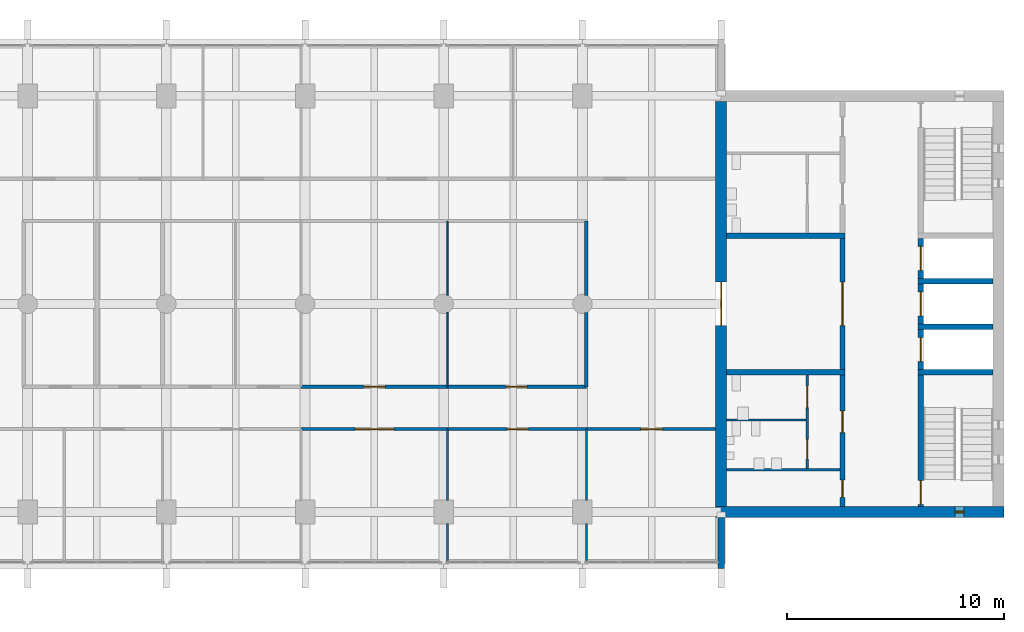
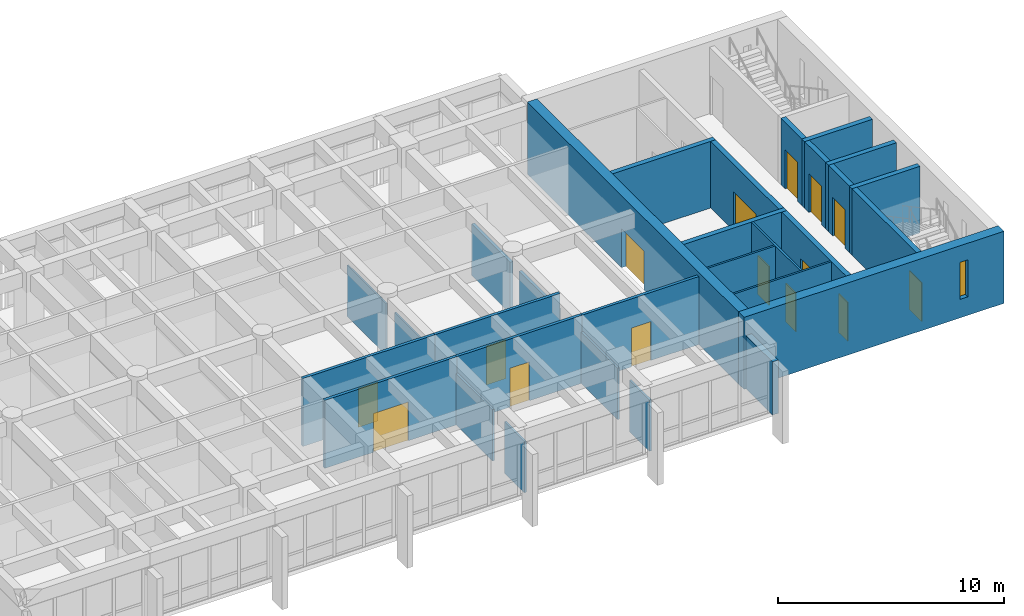
# One storey, part 11 of 15: 30 walls, 15 doors, 1 window, 16 openings.
"""IFC4 building model written with IfcOpenShell, lengths in metres."""

from ifc_helpers import new_model, si_unit, direction, frame, frame_2d, origin, place, context, subcontext, project, spatial, rectangle, extrude, material, layer, layer_set, type_object, element, fill, save


model = new_model("IFC4")

# Units and contexts
model_context = context("Model", 3, precision=1e-05, world=origin(), true_north=direction((0.0, 1.0)))
body_context = subcontext(model_context, "Body", "Model", "MODEL_VIEW")
ifc_project = project(units=[si_unit("LENGTHUNIT", "METRE"), si_unit("AREAUNIT", "SQUARE_METRE"), si_unit("VOLUMEUNIT", "CUBIC_METRE"), si_unit("PLANEANGLEUNIT", "RADIAN"), si_unit("MASSUNIT", "GRAM", prefix="KILO")], contexts=[model_context])

# Site, building, storey
site_placement = place(None, origin())
site = spatial("IfcSite", under=ifc_project, at=site_placement, CompositionType="ELEMENT")
building_placement = place(site_placement, origin())
building = spatial("IfcBuilding", under=site, at=building_placement, Name="Fogon Plaza Fire Station and Headquarters Tower", CompositionType="ELEMENT")
storey_placement = place(building_placement, frame((0.0, 0.0, 48.300048828125)))
storey = spatial("IfcBuildingStorey", under=building, at=storey_placement, Name="L12", CompositionType="ELEMENT", Elevation=48.300048828125)

# Walls
ifc_material_1 = material(Name="Concrete C40", Category="concrete")
ifc_layer_1 = layer(ifc_material_1, 0.25)
ifc_layer_set_1 = layer_set([ifc_layer_1], Name="Concrete C40")
wall_type_1 = type_object("IfcWallType", Name="Core Wall RC 250", PredefinedType="SOLIDWALL", material=ifc_layer_set_1)
for number, where, z_axis, x_axis, name in (
    (1, (76.550048828125, 40.050048828125, 0.0), (0.0, 0.0, 1.0), (-1.0, 0.0, 0.0), "Core B shaft wall"),
    (2, (76.550048828125, 42.14990234375, 0.0), (0.0, 0.0, 1.0), (-1.0, 0.0, 0.0), "Core B shaft wall"),
    (3, (76.550048828125, 44.25, 0.0), (0.0, 0.0, 1.0), (-1.0, 0.0, 0.0), "Core B shaft wall"),
):
    element("IfcWall", number, at=place(storey_placement, frame(where, z_axis=z_axis, x_axis=x_axis)), inside=storey, type_object=wall_type_1, Name=name, PredefinedType="SOLIDWALL", context=body_context, shape_type="SweptSolid", body=[
        extrude(rectangle(XDim=3.47509765625, YDim=0.25, at=frame_2d((1.737548828125, 0.0))), origin(), (0.0, 0.0, 1.0), 3.599853515625),
    ])

# Wall, opening, door
wall_1_placement = place(storey_placement, frame((73.199951171875, 33.85009765625, 0.0), z_axis=(0.0, 0.0, 1.0), x_axis=(0.0, 1.0, 0.0)))
wall_1 = element("IfcWall", 4, at=wall_1_placement, inside=storey, type_object=wall_type_1, Name="Core B shaft wall", PredefinedType="SOLIDWALL", context=body_context, shape_type="SweptSolid", body=[
    extrude(rectangle(XDim=6.074951171875, YDim=0.25, at=frame_2d((3.03759765625, 0.0))), origin(), (0.0, 0.0, 1.0), 3.599853515625),
])
opening_1_placement = place(wall_1_placement, frame((0.10009765625, 0.0, 0.0)))
opening_1 = element("IfcOpeningElement", 5, at=opening_1_placement, cuts=wall_1, Name="Opening L12-D15", PredefinedType="OPENING", context=body_context, shape_type="SweptSolid", body=[
    extrude(rectangle(XDim=1.10009765625, YDim=2.10009765625, at=frame_2d((0.550048828125, 1.050048828125))), frame((0.0, 0.135009765625, 0.0), z_axis=(0.0, -1.0, 0.0), x_axis=(1.0, 0.0, 0.0)), (0.0, 0.0, 1.0), 0.27001953125),
])
ifc_material_2 = material(Name="Steel Fire Door Leaf", Category="steel")
door_type_1 = type_object("IfcDoorType", Name="Stair Door Single 1100x2100", OperationType="SINGLE_SWING_LEFT", PredefinedType="DOOR", material=ifc_material_2)
door_1_placement = place(opening_1_placement, frame((1.10009765625, 0.0, 0.0), z_axis=(0.0, 0.0, 1.0), x_axis=(-1.0, 0.0, 0.0)))
door_1 = element("IfcDoor", 6, at=door_1_placement, inside=storey, type_object=door_type_1, Name="Stair door ST3", OperationType="SINGLE_SWING_RIGHT", OverallHeight=2.10009765625, OverallWidth=1.10009765625, PredefinedType="DOOR", context=body_context, shape_type="SweptSolid", body=[
    extrude(rectangle(XDim=1.10009765625, YDim=2.10009765625, at=frame_2d((0.550048828125, 1.050048828125))), frame((0.0, 0.02490234375, 0.0), z_axis=(0.0, -1.0, 0.0), x_axis=(1.0, 0.0, 0.0)), (0.0, 0.0, 1.0), 0.050048828125),
])
fill(opening_1, door_1)

wall_2_placement = place(storey_placement, frame((73.199951171875, 40.175048828125, 0.0), z_axis=(0.0, 0.0, 1.0), x_axis=(0.0, 1.0, 0.0)))
wall_2 = element("IfcWall", 7, at=wall_2_placement, inside=storey, type_object=wall_type_1, Name="Core B shaft wall", PredefinedType="SOLIDWALL", context=body_context, shape_type="SweptSolid", body=[
    extrude(rectangle(XDim=1.849853515625, YDim=0.25, at=frame_2d((0.9248046875, 0.0))), origin(), (0.0, 0.0, 1.0), 3.599853515625),
])
opening_2_placement = place(wall_2_placement, frame((0.375, 0.0, 0.0)))
opening_2 = element("IfcOpeningElement", 8, at=opening_2_placement, cuts=wall_2, Name="Opening L12-D17", PredefinedType="OPENING", context=body_context, shape_type="SweptSolid", body=[
    extrude(rectangle(XDim=1.10009765625, YDim=2.10009765625, at=frame_2d((0.550048828125, 1.050048828125))), frame((0.0, 0.135009765625, 0.0), z_axis=(0.0, -1.0, 0.0), x_axis=(1.0, 0.0, 0.0)), (0.0, 0.0, 1.0), 0.27001953125),
])
ifc_material_3 = material(Name="Stainless Steel", Category="steel")
door_type_2 = type_object("IfcDoorType", Name="Lift Landing Door 1100x2100", OperationType="SLIDING_TO_LEFT", PredefinedType="DOOR", material=ifc_material_3)
door_2_placement = place(opening_2_placement, origin())
door_2 = element("IfcDoor", 9, at=door_2_placement, inside=storey, type_object=door_type_2, Name="Lift LP3 landing door", OperationType="SLIDING_TO_LEFT", OverallHeight=2.10009765625, OverallWidth=1.10009765625, PredefinedType="DOOR", context=body_context, shape_type="SweptSolid", body=[
    extrude(rectangle(XDim=1.10009765625, YDim=2.10009765625, at=frame_2d((0.550048828125, 1.050048828125))), frame((0.0, 0.02490234375, 0.0), z_axis=(0.0, -1.0, 0.0), x_axis=(1.0, 0.0, 0.0)), (0.0, 0.0, 1.0), 0.050048828125),
])
fill(opening_2, door_2)

wall_3_placement = place(storey_placement, frame((73.199951171875, 42.27490234375, 0.0), z_axis=(0.0, 0.0, 1.0), x_axis=(0.0, 1.0, 0.0)))
wall_3 = element("IfcWall", 10, at=wall_3_placement, inside=storey, type_object=wall_type_1, Name="Core B shaft wall", PredefinedType="SOLIDWALL", context=body_context, shape_type="SweptSolid", body=[
    extrude(rectangle(XDim=1.85009765625, YDim=0.25, at=frame_2d((0.925048828125, 0.0))), origin(), (0.0, 0.0, 1.0), 3.599853515625),
])
opening_3_placement = place(wall_3_placement, frame((0.375, 0.0, 0.0)))
opening_3 = element("IfcOpeningElement", 11, at=opening_3_placement, cuts=wall_3, Name="Opening L12-D18", PredefinedType="OPENING", context=body_context, shape_type="SweptSolid", body=[
    extrude(rectangle(XDim=1.10009765625, YDim=2.10009765625, at=frame_2d((0.550048828125, 1.050048828125))), frame((0.0, 0.135009765625, 0.0), z_axis=(0.0, -1.0, 0.0), x_axis=(1.0, 0.0, 0.0)), (0.0, 0.0, 1.0), 0.27001953125),
])
door_3_placement = place(opening_3_placement, origin())
door_3 = element("IfcDoor", 12, at=door_3_placement, inside=storey, type_object=door_type_2, Name="Lift LP4 landing door", OperationType="SLIDING_TO_LEFT", OverallHeight=2.10009765625, OverallWidth=1.10009765625, PredefinedType="DOOR", context=body_context, shape_type="SweptSolid", body=[
    extrude(rectangle(XDim=1.10009765625, YDim=2.10009765625, at=frame_2d((0.550048828125, 1.050048828125))), frame((0.0, 0.02490234375, 0.0), z_axis=(0.0, -1.0, 0.0), x_axis=(1.0, 0.0, 0.0)), (0.0, 0.0, 1.0), 0.050048828125),
])
fill(opening_3, door_3)

wall_4_placement = place(storey_placement, frame((73.199951171875, 44.375, 0.0), z_axis=(0.0, 0.0, 1.0), x_axis=(0.0, 1.0, 0.0)))
wall_4 = element("IfcWall", 13, at=wall_4_placement, inside=storey, type_object=wall_type_1, Name="Core B shaft wall", PredefinedType="SOLIDWALL", context=body_context, shape_type="SweptSolid", body=[
    extrude(rectangle(XDim=1.85009765625, YDim=0.25, at=frame_2d((0.925048828125, 0.0))), origin(), (0.0, 0.0, 1.0), 3.599853515625),
])
opening_4_placement = place(wall_4_placement, frame((0.375, 0.0, 0.0)))
opening_4 = element("IfcOpeningElement", 14, at=opening_4_placement, cuts=wall_4, Name="Opening L12-D19", PredefinedType="OPENING", context=body_context, shape_type="SweptSolid", body=[
    extrude(rectangle(XDim=1.10009765625, YDim=2.10009765625, at=frame_2d((0.550048828125, 1.050048828125))), frame((0.0, 0.135009765625, 0.0), z_axis=(0.0, -1.0, 0.0), x_axis=(1.0, 0.0, 0.0)), (0.0, 0.0, 1.0), 0.27001953125),
])
door_4_placement = place(opening_4_placement, origin())
door_4 = element("IfcDoor", 15, at=door_4_placement, inside=storey, type_object=door_type_2, Name="Lift FL2 landing door", OperationType="SLIDING_TO_LEFT", OverallHeight=2.10009765625, OverallWidth=1.10009765625, PredefinedType="DOOR", context=body_context, shape_type="SweptSolid", body=[
    extrude(rectangle(XDim=1.10009765625, YDim=2.10009765625, at=frame_2d((0.550048828125, 1.050048828125))), frame((0.0, 0.02490234375, 0.0), z_axis=(0.0, -1.0, 0.0), x_axis=(1.0, 0.0, 0.0)), (0.0, 0.0, 1.0), 0.050048828125),
])
fill(opening_4, door_4)

# Wall, openings, doors
wall_5_placement = place(storey_placement, frame((69.60009765625, 33.85009765625, 0.0), z_axis=(0.0, 0.0, 1.0), x_axis=(0.0, 1.0, 0.0)))
wall_5 = element("IfcWall", 16, at=wall_5_placement, inside=storey, type_object=wall_type_1, Name="Core B shaft wall", PredefinedType="SOLIDWALL", context=body_context, shape_type="SweptSolid", body=[
    extrude(rectangle(XDim=6.074951171875, YDim=0.25, at=frame_2d((3.03759765625, 0.0))), origin(), (0.0, 0.0, 1.0), 3.599853515625),
])
opening_5_placement = place(wall_5_placement, frame((0.425048828125, 0.0, 0.0)))
opening_5 = element("IfcOpeningElement", 17, at=opening_5_placement, cuts=wall_5, Name="Opening L12-D22", PredefinedType="OPENING", context=body_context, shape_type="SweptSolid", body=[
    extrude(rectangle(XDim=0.800048828125, YDim=2.10009765625, at=frame_2d((0.39990234375, 1.050048828125))), frame((0.0, 0.135009765625, 0.0), z_axis=(0.0, -1.0, 0.0), x_axis=(1.0, 0.0, 0.0)), (0.0, 0.0, 1.0), 0.27001953125),
])
opening_6_placement = place(wall_5_placement, frame((3.41259765625, 0.0, 0.0)))
opening_6 = element("IfcOpeningElement", 18, at=opening_6_placement, cuts=wall_5, Name="Opening L12-D23", PredefinedType="OPENING", context=body_context, shape_type="SweptSolid", body=[
    extrude(rectangle(XDim=1.0, YDim=2.10009765625, at=frame_2d((0.5, 1.050048828125))), frame((0.0, 0.135009765625, 0.0), z_axis=(0.0, -1.0, 0.0), x_axis=(1.0, 0.0, 0.0)), (0.0, 0.0, 1.0), 0.27001953125),
])
ifc_material_4 = material(Name="Timber Door Leaf", Category="wood")
door_type_3 = type_object("IfcDoorType", Name="Cleaner Store Single 800x2100", OperationType="SINGLE_SWING_LEFT", PredefinedType="DOOR", material=ifc_material_4)
door_5_placement = place(opening_5_placement, origin())
door_5 = element("IfcDoor", 19, at=door_5_placement, inside=storey, type_object=door_type_3, Name="Cleaner's store B door", OperationType="SINGLE_SWING_LEFT", OverallHeight=2.10009765625, OverallWidth=0.800048828125, PredefinedType="DOOR", context=body_context, shape_type="SweptSolid", body=[
    extrude(rectangle(XDim=0.800048828125, YDim=2.10009765625, at=frame_2d((0.39990234375, 1.050048828125))), frame((0.0, 0.02490234375, 0.0), z_axis=(0.0, -1.0, 0.0), x_axis=(1.0, 0.0, 0.0)), (0.0, 0.0, 1.0), 0.050048828125),
])
fill(opening_5, door_5)
ifc_material_5 = material(Name="Timber fire door", Category="wood")
door_type_4 = type_object("IfcDoorType", Name="WC Lobby Single 1000x2100", OperationType="SINGLE_SWING_LEFT", PredefinedType="DOOR", material=ifc_material_5)
door_6_placement = place(opening_6_placement, origin())
door_6 = element("IfcDoor", 20, at=door_6_placement, inside=storey, type_object=door_type_4, Name="Men's WC lobby B door", OperationType="SINGLE_SWING_RIGHT", OverallHeight=2.10009765625, OverallWidth=1.0, PredefinedType="DOOR", context=body_context, shape_type="SweptSolid", body=[
    extrude(rectangle(XDim=1.0, YDim=2.10009765625, at=frame_2d((0.5, 1.050048828125))), frame((0.0, 0.02490234375, 0.0), z_axis=(0.0, -1.0, 0.0), x_axis=(1.0, 0.0, 0.0)), (0.0, 0.0, 1.0), 0.050048828125),
])
fill(opening_6, door_6)

# Wall, opening, door
wall_6_placement = place(storey_placement, frame((69.60009765625, 40.175048828125, 0.0), z_axis=(0.0, 0.0, 1.0), x_axis=(0.0, 1.0, 0.0)))
wall_6 = element("IfcWall", 21, at=wall_6_placement, inside=storey, type_object=wall_type_1, Name="Core B shaft wall", PredefinedType="SOLIDWALL", context=body_context, shape_type="SweptSolid", body=[
    extrude(rectangle(XDim=6.050048828125, YDim=0.25, at=frame_2d((3.02490234375, 0.0))), origin(), (0.0, 0.0, 1.0), 3.599853515625),
])
opening_7_placement = place(wall_6_placement, frame((2.02490234375, 0.0, 0.0)))
opening_7 = element("IfcOpeningElement", 22, at=opening_7_placement, cuts=wall_6, Name="Opening L12-D20", PredefinedType="OPENING", context=body_context, shape_type="SweptSolid", body=[
    extrude(rectangle(XDim=2.0, YDim=2.10009765625, at=frame_2d((1.0, 1.050048828125))), frame((0.0, 0.135009765625, 0.0), z_axis=(0.0, -1.0, 0.0), x_axis=(1.0, 0.0, 0.0)), (0.0, 0.0, 1.0), 0.27001953125),
])
ifc_material_6 = material(Name="Steel Fire Door Leaf", Category="steel")
door_type_5 = type_object("IfcDoorType", Name="Vestibule Double 2000x2100", OperationType="DOUBLE_DOOR_SINGLE_SWING", PredefinedType="DOOR", material=ifc_material_6)
door_7_placement = place(opening_7_placement, origin())
door_7 = element("IfcDoor", 23, at=door_7_placement, inside=storey, type_object=door_type_5, Name="Vestibule B door", OperationType="DOUBLE_DOOR_SINGLE_SWING", OverallHeight=2.10009765625, OverallWidth=2.0, PredefinedType="DOOR", context=body_context, shape_type="SweptSolid", body=[
    extrude(rectangle(XDim=2.0, YDim=2.10009765625, at=frame_2d((1.0, 1.050048828125))), frame((0.0, 0.02490234375, 0.0), z_axis=(0.0, -1.0, 0.0), x_axis=(1.0, 0.0, 0.0)), (0.0, 0.0, 1.0), 0.050048828125),
])
fill(opening_7, door_7)

# Walls
for number, where, z_axis, x_axis, name in (
    (24, (69.72509765625, 40.050048828125, 0.0), (0.0, 0.0, 1.0), (-1.0, 0.0, 0.0), "Core B shaft wall"),
    (25, (69.72509765625, 46.35009765625, 0.0), (0.0, 0.0, 1.0), (-1.0, 0.0, 0.0), "Core B shaft wall"),
):
    element("IfcWall", number, at=place(storey_placement, frame(where, z_axis=z_axis, x_axis=x_axis)), inside=storey, type_object=wall_type_1, Name=name, PredefinedType="SOLIDWALL", context=body_context, shape_type="SweptSolid", body=[
        extrude(rectangle(XDim=5.47509765625, YDim=0.25, at=frame_2d((2.737548828125, 0.0))), origin(), (0.0, 0.0, 1.0), 3.599853515625),
    ])
ifc_material_7 = material(Name="Concrete C40", Category="concrete")
ifc_layer_2 = layer(ifc_material_7, 0.300048828125)
ifc_layer_set_2 = layer_set([ifc_layer_2], Name="Concrete C40")
wall_type_2 = type_object("IfcWallType", Name="Fair-faced RC Return Panel 300", PredefinedType="SOLIDWALL", material=ifc_layer_set_2)
wall_7_placement = place(storey_placement, frame((64.0, 31.0, 0.0), z_axis=(0.0, 0.0, 1.0), x_axis=(0.0, 1.0, 0.0)))
element("IfcWall", 26, at=wall_7_placement, inside=storey, type_object=wall_type_2, Name="Bar end return ES L12", PredefinedType="SOLIDWALL", context=body_context, shape_type="SweptSolid", body=[
    extrude(rectangle(XDim=2.35009765625, YDim=0.300048828125, at=frame_2d((1.175048828125, 0.0))), origin(), (0.0, 0.0, 1.0), 2.8798828125),
])
ifc_material_8 = material(Name="Blockwork", Category="masonry")
ifc_layer_3 = layer(ifc_material_8, 0.10009765625)
ifc_layer_set_3 = layer_set([ifc_layer_3], Name="Blockwork")
wall_type_3 = type_object("IfcWallType", Name="Partition Blockwork 100", PredefinedType="PARTITIONING", material=ifc_layer_set_3)
wall_8_placement = place(storey_placement, frame((69.47509765625, 35.550048828125, 0.0), z_axis=(0.0, 0.0, 1.0), x_axis=(-1.0, 0.0, 0.0)))
element("IfcWall", 27, at=wall_8_placement, inside=storey, type_object=wall_type_3, Name="Cleaner's store partition", PredefinedType="PARTITIONING", context=body_context, shape_type="SweptSolid", body=[
    extrude(rectangle(XDim=5.22509765625, YDim=0.10009765625, at=frame_2d((2.612548828125, 0.0))), origin(), (0.0, 0.0, 1.0), 3.599853515625),
])

# Wall, openings, doors
wall_9_placement = place(storey_placement, frame((67.97509765625, 35.60009765625, 0.0), z_axis=(0.0, 0.0, 1.0), x_axis=(0.0, 1.0, 0.0)))
wall_9 = element("IfcWall", 28, at=wall_9_placement, inside=storey, type_object=wall_type_3, Name="WC block partition", PredefinedType="PARTITIONING", context=body_context, shape_type="SweptSolid", body=[
    extrude(rectangle(XDim=4.324951171875, YDim=0.10009765625, at=frame_2d((2.16259765625, 0.0))), origin(), (0.0, 0.0, 1.0), 3.599853515625),
])
opening_8_placement = place(wall_9_placement, frame((0.449951171875, 0.0, 0.0)))
opening_8 = element("IfcOpeningElement", 29, at=opening_8_placement, cuts=wall_9, Name="Opening L12-D24", PredefinedType="OPENING", context=body_context, shape_type="SweptSolid", body=[
    extrude(rectangle(XDim=0.89990234375, YDim=2.10009765625, at=frame_2d((0.449951171875, 1.050048828125))), frame((0.0, 0.06005859375, 0.0), z_axis=(0.0, -1.0, 0.0), x_axis=(1.0, 0.0, 0.0)), (0.0, 0.0, 1.0), 0.1201171875),
])
opening_9_placement = place(wall_9_placement, frame((2.8125, 0.0, 0.0)))
opening_9 = element("IfcOpeningElement", 30, at=opening_9_placement, cuts=wall_9, Name="Opening L12-D25", PredefinedType="OPENING", context=body_context, shape_type="SweptSolid", body=[
    extrude(rectangle(XDim=1.0, YDim=2.10009765625, at=frame_2d((0.5, 1.050048828125))), frame((0.0, 0.06005859375, 0.0), z_axis=(0.0, -1.0, 0.0), x_axis=(1.0, 0.0, 0.0)), (0.0, 0.0, 1.0), 0.1201171875),
])
ifc_material_9 = material(Name="Timber Door Leaf", Category="wood")
door_type_6 = type_object("IfcDoorType", Name="Accessible WC Single 1000x2100", OperationType="SINGLE_SWING_LEFT", PredefinedType="DOOR", material=ifc_material_9)
door_8_placement = place(opening_9_placement, origin())
door_8 = element("IfcDoor", 31, at=door_8_placement, inside=storey, type_object=door_type_6, Name="Accessible WC B door", OperationType="SINGLE_SWING_RIGHT", OverallHeight=2.10009765625, OverallWidth=1.0, PredefinedType="DOOR", context=body_context, shape_type="SweptSolid", body=[
    extrude(rectangle(XDim=1.0, YDim=2.10009765625, at=frame_2d((0.5, 1.050048828125))), frame((0.0, 0.02490234375, 0.0), z_axis=(0.0, -1.0, 0.0), x_axis=(1.0, 0.0, 0.0)), (0.0, 0.0, 1.0), 0.050048828125),
])
fill(opening_9, door_8)
ifc_material_10 = material(Name="Timber Door Leaf", Category="wood")
door_type_7 = type_object("IfcDoorType", Name="WC Single 900x2100", OperationType="SINGLE_SWING_LEFT", PredefinedType="DOOR", material=ifc_material_10)
door_9_placement = place(opening_8_placement, origin())
door_9 = element("IfcDoor", 32, at=door_9_placement, inside=storey, type_object=door_type_7, Name="Men's WC B door", OperationType="SINGLE_SWING_LEFT", OverallHeight=2.10009765625, OverallWidth=0.89990234375, PredefinedType="DOOR", context=body_context, shape_type="SweptSolid", body=[
    extrude(rectangle(XDim=0.89990234375, YDim=2.10009765625, at=frame_2d((0.449951171875, 1.050048828125))), frame((0.0, 0.02490234375, 0.0), z_axis=(0.0, -1.0, 0.0), x_axis=(1.0, 0.0, 0.0)), (0.0, 0.0, 1.0), 0.050048828125),
])
fill(opening_8, door_9)

# Wall
wall_10_placement = place(storey_placement, frame((67.925048828125, 37.85009765625, 0.0), z_axis=(0.0, 0.0, 1.0), x_axis=(-1.0, 0.0, 0.0)))
element("IfcWall", 33, at=wall_10_placement, inside=storey, type_object=wall_type_3, Name="WC block partition", PredefinedType="PARTITIONING", context=body_context, shape_type="SweptSolid", body=[
    extrude(rectangle(XDim=3.675048828125, YDim=0.10009765625, at=frame_2d((1.83740234375, 0.0))), origin(), (0.0, 0.0, 1.0), 3.599853515625),
])

# Wall, opening, window
ifc_material_11 = material(Name="Concrete C40", Category="concrete")
ifc_layer_4 = layer(ifc_material_11, 0.5)
ifc_layer_set_4 = layer_set([ifc_layer_4], Name="Concrete C40")
wall_type_4 = type_object("IfcWallType", Name="Shear wall 500 SW50", PredefinedType="SHEAR", material=ifc_layer_set_4)
wall_11_placement = place(storey_placement, frame((63.75, 33.60009765625, 0.0), z_axis=(0.0, 0.0, 1.0), x_axis=(1.0, 0.0, 0.0)))
wall_11 = element("IfcWall", 34, at=wall_11_placement, inside=storey, type_object=wall_type_4, Name="wall-coreB-S-L12", PredefinedType="SHEAR", context=body_context, shape_type="SweptSolid", body=[
    extrude(rectangle(XDim=13.300048828125, YDim=0.5, at=frame_2d((6.64990234375, 0.0))), origin(), (0.0, 0.0, 1.0), 3.89990234375),
])
opening_10_placement = place(wall_11_placement, frame((11.050048828125, 0.0, 1.0)))
opening_10 = element("IfcOpeningElement", 35, at=opening_10_placement, cuts=wall_11, Name="Opening WS1", PredefinedType="OPENING", context=body_context, shape_type="SweptSolid", body=[
    extrude(rectangle(XDim=0.39990234375, YDim=2.0, at=frame_2d((0.199951171875, 1.0))), frame((0.0, 0.260009765625, 0.0), z_axis=(0.0, -1.0, 0.0), x_axis=(1.0, 0.0, 0.0)), (0.0, 0.0, 1.0), 0.52001953125),
])
ifc_material_12 = material(Name="Aluminium framed double glazing", Category="aluminium")
window_type = type_object("IfcWindowType", Name="Slit Window WS1 400x2000", PartitioningType="SINGLE_PANEL", PredefinedType="WINDOW", material=ifc_material_12)
window_placement = place(opening_10_placement, origin())
window = element("IfcWindow", 36, at=window_placement, inside=storey, type_object=window_type, Name="Slit window B5 L12", OverallHeight=2.0, OverallWidth=0.39990234375, PartitioningType="SINGLE_PANEL", PredefinedType="WINDOW", context=body_context, shape_type="SweptSolid", body=[
    extrude(rectangle(XDim=0.39990234375, YDim=2.0, at=frame_2d((0.199951171875, 1.0))), frame((0.0, 0.030029296875, 0.0), z_axis=(0.0, -1.0, 0.0), x_axis=(1.0, 0.0, 0.0)), (0.0, 0.0, 1.0), 0.06005859375),
])
fill(opening_10, window)

# Wall, opening, door
wall_12_placement = place(storey_placement, frame((64.0, 33.85009765625, 0.0), z_axis=(0.0, 0.0, 1.0), x_axis=(0.0, 1.0, 0.0)))
wall_12 = element("IfcWall", 37, at=wall_12_placement, inside=storey, type_object=wall_type_4, Name="wall-coreB-W-L12", PredefinedType="SHEAR", context=body_context, shape_type="SweptSolid", body=[
    extrude(rectangle(XDim=18.699951171875, YDim=0.5, at=frame_2d((9.35009765625, 0.0))), origin(), (0.0, 0.0, 1.0), 3.89990234375),
])
opening_11_placement = place(wall_12_placement, frame((8.35009765625, 0.0, 0.0)))
opening_11 = element("IfcOpeningElement", 38, at=opening_11_placement, cuts=wall_12, Name="Opening L12-D21", PredefinedType="OPENING", context=body_context, shape_type="SweptSolid", body=[
    extrude(rectangle(XDim=2.0, YDim=2.10009765625, at=frame_2d((1.0, 1.050048828125))), frame((0.0, 0.260009765625, 0.0), z_axis=(0.0, -1.0, 0.0), x_axis=(1.0, 0.0, 0.0)), (0.0, 0.0, 1.0), 0.52001953125),
])
door_10_placement = place(opening_11_placement, frame((2.0, 0.0, 0.0), z_axis=(0.0, 0.0, 1.0), x_axis=(-1.0, 0.0, 0.0)))
door_10 = element("IfcDoor", 39, at=door_10_placement, inside=storey, type_object=door_type_5, Name="Vestibule B door to the office zone", OperationType="DOUBLE_DOOR_SINGLE_SWING", OverallHeight=2.10009765625, OverallWidth=2.0, PredefinedType="DOOR", context=body_context, shape_type="SweptSolid", body=[
    extrude(rectangle(XDim=2.0, YDim=2.10009765625, at=frame_2d((1.0, 1.050048828125))), frame((0.0, 0.02490234375, 0.0), z_axis=(0.0, -1.0, 0.0), x_axis=(1.0, 0.0, 0.0)), (0.0, 0.0, 1.0), 0.050048828125),
])
fill(opening_11, door_10)

ifc_material_13 = material(Name="Gypsum board on steel stud", Category="steel")
ifc_layer_5 = layer(ifc_material_13, 0.14990234375)
ifc_layer_set_5 = layer_set([ifc_layer_5], Name="Gypsum board on steel stud")
wall_type_5 = type_object("IfcWallType", Name="Tower corridor partition 150 EI 60", PredefinedType="PARTITIONING", material=ifc_layer_set_5)
wall_13_placement = place(storey_placement, frame((44.6201171875, 37.425048828125, 0.0), z_axis=(0.0, 0.0, 1.0), x_axis=(1.0, 0.0, 0.0)))
wall_13 = element("IfcWall", 40, at=wall_13_placement, inside=storey, type_object=wall_type_5, Name="part-L12-04", PredefinedType="PARTITIONING", context=body_context, shape_type="SweptSolid", body=[
    extrude(rectangle(XDim=6.759765625, YDim=0.14990234375, at=frame_2d((3.3798828125, 0.0))), origin(), (0.0, 0.0, 1.0), 3.679931640625),
])
opening_12_placement = place(wall_13_placement, frame((2.47998046875, 0.0, 0.0)))
opening_12 = element("IfcOpeningElement", 41, at=opening_12_placement, cuts=wall_13, Name="Opening L12-D32", PredefinedType="OPENING", context=body_context, shape_type="SweptSolid", body=[
    extrude(rectangle(XDim=1.800048828125, YDim=2.10009765625, at=frame_2d((0.89990234375, 1.050048828125))), frame((0.0, 0.0849609375, 0.0), z_axis=(0.0, -1.0, 0.0), x_axis=(1.0, 0.0, 0.0)), (0.0, 0.0, 1.0), 0.169921875),
])
ifc_material_14 = material(Name="Timber fire door", Category="wood")
door_type_8 = type_object("IfcDoorType", Name="Tower fire door double 1800 EI 20", OperationType="DOUBLE_DOOR_SINGLE_SWING", PredefinedType="DOOR", material=ifc_material_14)
door_11_placement = place(opening_12_placement, frame((1.800048828125, 0.0, 0.0), z_axis=(0.0, 0.0, 1.0), x_axis=(-1.0, 0.0, 0.0)))
door_11 = element("IfcDoor", 42, at=door_11_placement, inside=storey, type_object=door_type_8, Name="door-L12-04", OperationType="DOUBLE_DOOR_SINGLE_SWING", OverallHeight=2.10009765625, OverallWidth=1.800048828125, PredefinedType="DOOR", context=body_context, shape_type="SweptSolid", body=[
    extrude(rectangle(XDim=1.800048828125, YDim=2.10009765625, at=frame_2d((0.89990234375, 1.050048828125))), frame((0.0, 0.02490234375, 0.0), z_axis=(0.0, -1.0, 0.0), x_axis=(1.0, 0.0, 0.0)), (0.0, 0.0, 1.0), 0.050048828125),
])
fill(opening_12, door_11)

wall_14_placement = place(storey_placement, frame((51.3798828125, 37.425048828125, 0.0), z_axis=(0.0, 0.0, 1.0), x_axis=(1.0, 0.0, 0.0)))
wall_14 = element("IfcWall", 43, at=wall_14_placement, inside=storey, type_object=wall_type_5, Name="part-L12-05", PredefinedType="PARTITIONING", context=body_context, shape_type="SweptSolid", body=[
    extrude(rectangle(XDim=6.400146484375, YDim=0.14990234375, at=frame_2d((3.2001953125, 0.0))), origin(), (0.0, 0.0, 1.0), 3.679931640625),
])
opening_13_placement = place(wall_14_placement, frame((2.719970703125, 0.0, 0.0)))
opening_13 = element("IfcOpeningElement", 44, at=opening_13_placement, cuts=wall_14, Name="Opening L12-D33", PredefinedType="OPENING", context=body_context, shape_type="SweptSolid", body=[
    extrude(rectangle(XDim=1.0, YDim=2.10009765625, at=frame_2d((0.5, 1.050048828125))), frame((0.0, 0.0849609375, 0.0), z_axis=(0.0, -1.0, 0.0), x_axis=(1.0, 0.0, 0.0)), (0.0, 0.0, 1.0), 0.169921875),
])
ifc_material_15 = material(Name="Timber fire door", Category="wood")
door_type_9 = type_object("IfcDoorType", Name="Tower fire door single 1000 EI 20", OperationType="SINGLE_SWING_LEFT", PredefinedType="DOOR", material=ifc_material_15)
door_12_placement = place(opening_13_placement, frame((1.0, 0.0, 0.0), z_axis=(0.0, 0.0, 1.0), x_axis=(-1.0, 0.0, 0.0)))
door_12 = element("IfcDoor", 45, at=door_12_placement, inside=storey, type_object=door_type_9, Name="door-L12-05", OperationType="SINGLE_SWING_RIGHT", OverallHeight=2.10009765625, OverallWidth=1.0, PredefinedType="DOOR", context=body_context, shape_type="SweptSolid", body=[
    extrude(rectangle(XDim=1.0, YDim=2.10009765625, at=frame_2d((0.5, 1.050048828125))), frame((0.0, 0.02490234375, 0.0), z_axis=(0.0, -1.0, 0.0), x_axis=(1.0, 0.0, 0.0)), (0.0, 0.0, 1.0), 0.050048828125),
])
fill(opening_13, door_12)

wall_15_placement = place(storey_placement, frame((57.780029296875, 37.425048828125, 0.0), z_axis=(0.0, 0.0, 1.0), x_axis=(1.0, 0.0, 0.0)))
wall_15 = element("IfcWall", 46, at=wall_15_placement, inside=storey, type_object=wall_type_5, Name="part-L12-06", PredefinedType="PARTITIONING", context=body_context, shape_type="SweptSolid", body=[
    extrude(rectangle(XDim=5.969970703125, YDim=0.14990234375, at=frame_2d((2.98486328125, 0.0))), origin(), (0.0, 0.0, 1.0), 3.679931640625),
])
opening_14_placement = place(wall_15_placement, frame((2.52001953125, 0.0, 0.0)))
opening_14 = element("IfcOpeningElement", 47, at=opening_14_placement, cuts=wall_15, Name="Opening L12-D34", PredefinedType="OPENING", context=body_context, shape_type="SweptSolid", body=[
    extrude(rectangle(XDim=1.0, YDim=2.10009765625, at=frame_2d((0.5, 1.050048828125))), frame((0.0, 0.0849609375, 0.0), z_axis=(0.0, -1.0, 0.0), x_axis=(1.0, 0.0, 0.0)), (0.0, 0.0, 1.0), 0.169921875),
])
door_13_placement = place(opening_14_placement, frame((1.0, 0.0, 0.0), z_axis=(0.0, 0.0, 1.0), x_axis=(-1.0, 0.0, 0.0)))
door_13 = element("IfcDoor", 48, at=door_13_placement, inside=storey, type_object=door_type_9, Name="door-L12-06", OperationType="SINGLE_SWING_LEFT", OverallHeight=2.10009765625, OverallWidth=1.0, PredefinedType="DOOR", context=body_context, shape_type="SweptSolid", body=[
    extrude(rectangle(XDim=1.0, YDim=2.10009765625, at=frame_2d((0.5, 1.050048828125))), frame((0.0, 0.02490234375, 0.0), z_axis=(0.0, -1.0, 0.0), x_axis=(1.0, 0.0, 0.0)), (0.0, 0.0, 1.0), 0.050048828125),
])
fill(opening_14, door_13)

wall_16_placement = place(storey_placement, frame((44.6201171875, 39.375, 0.0), z_axis=(0.0, 0.0, 1.0), x_axis=(1.0, 0.0, 0.0)))
wall_16 = element("IfcWall", 49, at=wall_16_placement, inside=storey, type_object=wall_type_5, Name="part-L12-24", PredefinedType="PARTITIONING", context=body_context, shape_type="SweptSolid", body=[
    extrude(rectangle(XDim=6.759765625, YDim=0.14990234375, at=frame_2d((3.3798828125, 0.0))), origin(), (0.0, 0.0, 1.0), 3.679931640625),
])
opening_15_placement = place(wall_16_placement, frame((2.8798828125, 0.0, 0.0)))
opening_15 = element("IfcOpeningElement", 50, at=opening_15_placement, cuts=wall_16, Name="Opening L12-D39", PredefinedType="OPENING", context=body_context, shape_type="SweptSolid", body=[
    extrude(rectangle(XDim=1.0, YDim=2.10009765625, at=frame_2d((0.5, 1.050048828125))), frame((0.0, 0.0849609375, 0.0), z_axis=(0.0, -1.0, 0.0), x_axis=(1.0, 0.0, 0.0)), (0.0, 0.0, 1.0), 0.169921875),
])
ifc_material_16 = material(Name="Fire rated glazed door")
door_type_10 = type_object("IfcDoorType", Name="Tower glazed fire door single 1000 EI 20", OperationType="SINGLE_SWING_LEFT", PredefinedType="DOOR", material=ifc_material_16)
door_14_placement = place(opening_15_placement, origin())
door_14 = element("IfcDoor", 51, at=door_14_placement, inside=storey, type_object=door_type_10, Name="door-L12-11", OperationType="SINGLE_SWING_LEFT", OverallHeight=2.10009765625, OverallWidth=1.0, PredefinedType="DOOR", context=body_context, shape_type="SweptSolid", body=[
    extrude(rectangle(XDim=1.0, YDim=2.10009765625, at=frame_2d((0.5, 1.050048828125))), frame((0.0, 0.02490234375, 0.0), z_axis=(0.0, -1.0, 0.0), x_axis=(1.0, 0.0, 0.0)), (0.0, 0.0, 1.0), 0.050048828125),
])
fill(opening_15, door_14)

wall_17_placement = place(storey_placement, frame((51.3798828125, 39.375, 0.0), z_axis=(0.0, 0.0, 1.0), x_axis=(1.0, 0.0, 0.0)))
wall_17 = element("IfcWall", 52, at=wall_17_placement, inside=storey, type_object=wall_type_5, Name="part-L12-26", PredefinedType="PARTITIONING", context=body_context, shape_type="SweptSolid", body=[
    extrude(rectangle(XDim=6.400146484375, YDim=0.14990234375, at=frame_2d((3.2001953125, 0.0))), origin(), (0.0, 0.0, 1.0), 3.679931640625),
])
opening_16_placement = place(wall_17_placement, frame((2.669921875, 0.0, 0.0)))
opening_16 = element("IfcOpeningElement", 53, at=opening_16_placement, cuts=wall_17, Name="Opening L12-D40", PredefinedType="OPENING", context=body_context, shape_type="SweptSolid", body=[
    extrude(rectangle(XDim=1.0, YDim=2.10009765625, at=frame_2d((0.5, 1.050048828125))), frame((0.0, 0.0849609375, 0.0), z_axis=(0.0, -1.0, 0.0), x_axis=(1.0, 0.0, 0.0)), (0.0, 0.0, 1.0), 0.169921875),
])
door_15_placement = place(opening_16_placement, origin())
door_15 = element("IfcDoor", 54, at=door_15_placement, inside=storey, type_object=door_type_9, Name="door-L12-12", OperationType="SINGLE_SWING_RIGHT", OverallHeight=2.10009765625, OverallWidth=1.0, PredefinedType="DOOR", context=body_context, shape_type="SweptSolid", body=[
    extrude(rectangle(XDim=1.0, YDim=2.10009765625, at=frame_2d((0.5, 1.050048828125))), frame((0.0, 0.02490234375, 0.0), z_axis=(0.0, -1.0, 0.0), x_axis=(1.0, 0.0, 0.0)), (0.0, 0.0, 1.0), 0.050048828125),
])
fill(opening_16, door_15)

# Walls
ifc_material_17 = material(Name="Gypsum board on steel stud", Category="steel")
ifc_layer_6 = layer(ifc_material_17, 0.14990234375)
ifc_layer_set_6 = layer_set([ifc_layer_6], Name="Gypsum board on steel stud")
wall_type_6 = type_object("IfcWallType", Name="Tower corridor partition 150 EI 60 Beam Head 900", PredefinedType="PARTITIONING", material=ifc_layer_set_6)
for number, where, z_axis, x_axis, name in (
    (55, (57.780029296875, 39.375, 0.0), (0.0, 0.0, 1.0), (0.0, 1.0, 0.0), "part-L12-50"),
    (56, (57.780029296875, 43.59228515625, 0.0), (0.0, 0.0, 1.0), (0.0, 1.0, 0.0), "part-L12-51"),
):
    element("IfcWall", number, at=place(storey_placement, frame(where, z_axis=z_axis, x_axis=x_axis)), inside=storey, type_object=wall_type_6, Name=name, PredefinedType="PARTITIONING", context=body_context, shape_type="SweptSolid", body=[
        extrude(rectangle(XDim=3.4326171875, YDim=0.14990234375, at=frame_2d((1.71630859375, 0.0))), origin(), (0.0, 0.0, 1.0), 2.780029296875),
    ])
ifc_material_18 = material(Name="Glazed aluminium partition", Category="aluminium")
ifc_layer_7 = layer(ifc_material_18, 0.074951171875)
ifc_layer_set_7 = layer_set([ifc_layer_7], Name="Glazed aluminium partition")
wall_type_7 = type_object("IfcWallType", Name="Tower glazed partition 75 Beam Head 900", PredefinedType="PARTITIONING", material=ifc_layer_set_7)
for number, where, z_axis, x_axis, name in (
    (57, (51.3798828125, 39.375, 0.0), (0.0, 0.0, 1.0), (0.0, 1.0, 0.0), "part-L12-34"),
    (58, (51.3798828125, 43.59228515625, 0.0), (0.0, 0.0, 1.0), (0.0, 1.0, 0.0), "part-L12-35"),
):
    element("IfcWall", number, at=place(storey_placement, frame(where, z_axis=z_axis, x_axis=x_axis)), inside=storey, type_object=wall_type_7, Name=name, PredefinedType="PARTITIONING", context=body_context, shape_type="SweptSolid", body=[
        extrude(rectangle(XDim=3.4326171875, YDim=0.074951171875, at=frame_2d((1.71630859375, 0.0))), origin(), (0.0, 0.0, 1.0), 2.780029296875),
    ])
ifc_material_19 = material(Name="Gypsum board on steel stud", Category="steel")
ifc_layer_8 = layer(ifc_material_19, 0.10009765625)
ifc_layer_set_8 = layer_set([ifc_layer_8], Name="Gypsum board on steel stud")
wall_type_8 = type_object("IfcWallType", Name="Tower office partition 100 Beam Head 900", PredefinedType="PARTITIONING", material=ifc_layer_set_8)
wall_18_placement = place(storey_placement, frame((51.3798828125, 31.300048828125, 0.0), z_axis=(0.0, 0.0, 1.0), x_axis=(0.0, 1.0, 0.0)))
element("IfcWall", 59, at=wall_18_placement, inside=storey, type_object=wall_type_8, Name="part-L12-12", PredefinedType="PARTITIONING", context=body_context, shape_type="SweptSolid", body=[
    extrude(rectangle(XDim=1.77001953125, YDim=0.10009765625, at=frame_2d((0.885009765625, 0.0))), origin(), (0.0, 0.0, 1.0), 2.780029296875),
])
wall_19_placement = place(storey_placement, frame((51.3798828125, 34.1298828125, 0.0), z_axis=(0.0, 0.0, 1.0), x_axis=(0.0, 1.0, 0.0)))
element("IfcWall", 60, at=wall_19_placement, inside=storey, type_object=wall_type_8, Name="part-L12-13", PredefinedType="PARTITIONING", context=body_context, shape_type="SweptSolid", body=[
    extrude(rectangle(XDim=3.295166015625, YDim=0.10009765625, at=frame_2d((1.6474609375, 0.0))), origin(), (0.0, 0.0, 1.0), 2.780029296875),
])
wall_20_placement = place(storey_placement, frame((57.780029296875, 31.300048828125, 0.0), z_axis=(0.0, 0.0, 1.0), x_axis=(0.0, 1.0, 0.0)))
element("IfcWall", 61, at=wall_20_placement, inside=storey, type_object=wall_type_8, Name="part-L12-14", PredefinedType="PARTITIONING", context=body_context, shape_type="SweptSolid", body=[
    extrude(rectangle(XDim=1.77001953125, YDim=0.10009765625, at=frame_2d((0.885009765625, 0.0))), origin(), (0.0, 0.0, 1.0), 2.780029296875),
])
wall_21_placement = place(storey_placement, frame((57.780029296875, 34.1298828125, 0.0), z_axis=(0.0, 0.0, 1.0), x_axis=(0.0, 1.0, 0.0)))
element("IfcWall", 62, at=wall_21_placement, inside=storey, type_object=wall_type_8, Name="part-L12-15", PredefinedType="PARTITIONING", context=body_context, shape_type="SweptSolid", body=[
    extrude(rectangle(XDim=3.295166015625, YDim=0.10009765625, at=frame_2d((1.6474609375, 0.0))), origin(), (0.0, 0.0, 1.0), 2.780029296875),
])

save(model, "model.ifc")
